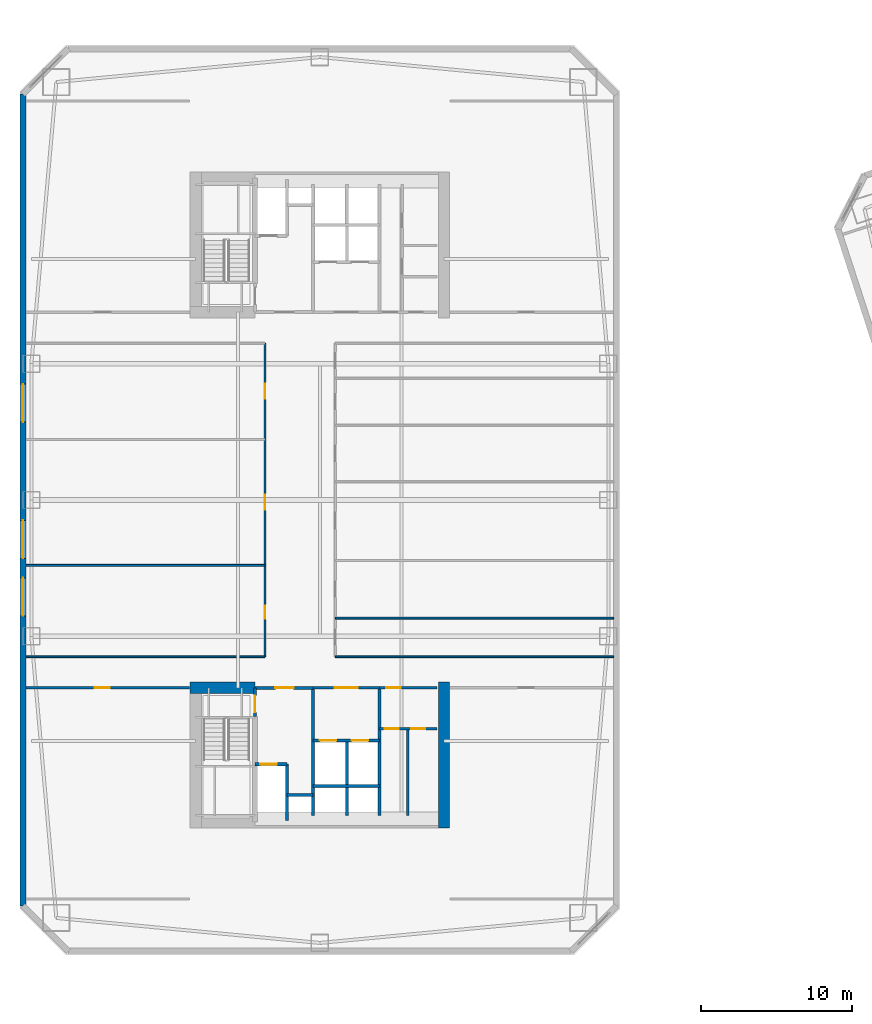
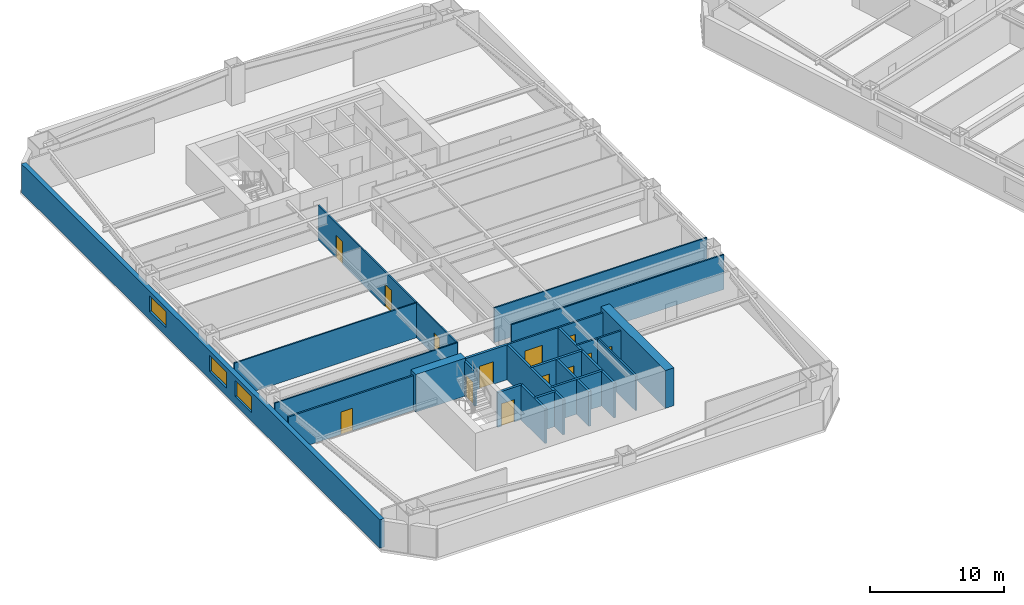
# One storey, part 10 of 19: 23 walls, 13 doors, 3 windows, 16 openings.
"""IFC4 building model written with IfcOpenShell, lengths in metres."""

from ifc_helpers import new_model, si_unit, direction, frame, frame_2d, origin, place, context, subcontext, project, spatial, rectangle, extrude, material, layer, layer_set, type_object, element, fill, save


model = new_model("IFC4")

# Units and contexts
model_context = context("Model", 3, precision=1e-05, world=origin(), true_north=direction((0.0, 1.0)))
body_context = subcontext(model_context, "Body", "Model", "MODEL_VIEW")
ifc_project = project(units=[si_unit("LENGTHUNIT", "METRE"), si_unit("AREAUNIT", "SQUARE_METRE"), si_unit("VOLUMEUNIT", "CUBIC_METRE"), si_unit("PLANEANGLEUNIT", "RADIAN"), si_unit("MASSUNIT", "GRAM", prefix="KILO")], contexts=[model_context])

# Site, building, storey
site_placement = place(None, origin())
site = spatial("IfcSite", under=ifc_project, at=site_placement, CompositionType="ELEMENT")
building_placement = place(site_placement, origin())
building = spatial("IfcBuilding", under=site, at=building_placement, Name="Qiaolan Cultural Towers", CompositionType="ELEMENT")
storey_placement = place(building_placement, frame((0.0, 0.0, 54.050048828125)))
storey = spatial("IfcBuildingStorey", under=building, at=storey_placement, Name="L12", CompositionType="ELEMENT", Elevation=54.050048828125)

# Walls
ifc_material_1 = material(Name="Concrete C60", Category="concrete")
ifc_layer_1 = layer(ifc_material_1, 0.75)
ifc_layer_set_1 = layer_set([ifc_layer_1], Name="Concrete C60")
wall_type_1 = type_object("IfcWallType", Name="WL-CORE-750", PredefinedType="SHEAR", material=ifc_layer_set_1)
wall_1_placement = place(storey_placement, frame((38.199951171875, 21.97509765625, 0.0), z_axis=(0.0, 0.0, 1.0), x_axis=(0.0, -1.0, 0.0)))
element("IfcWall", 1, at=wall_1_placement, inside=storey, type_object=wall_type_1, Name="L12 T1-CS East Core Shear Wall", PredefinedType="SHEAR", context=body_context, shape_type="SweptSolid", body=[
    extrude(rectangle(XDim=9.630126953125, YDim=0.75, at=frame_2d((4.81494140625, 0.0))), origin(), (0.0, 0.0, 1.0), 3.449951171875),
])
wall_2_placement = place(storey_placement, frame((21.425048828125, 21.60009765625, 0.0), z_axis=(0.0, 0.0, 1.0), x_axis=(1.0, 0.0, 0.0)))
element("IfcWall", 2, at=wall_2_placement, inside=storey, type_object=wall_type_1, Name="L12 T1-CS Stair Front Shear Wall", PredefinedType="SHEAR", context=body_context, shape_type="SweptSolid", body=[
    extrude(rectangle(XDim=4.294921875, YDim=0.75, at=frame_2d((2.1474609375, 0.0))), origin(), (0.0, 0.0, 1.0), 3.449951171875),
])

# Wall, openings, windows
ifc_material_2 = material(Name="Precast Concrete C50 Honed Stone Pier", Category="masonry")
ifc_layer_2 = layer(ifc_material_2, 0.39990234375)
ifc_layer_set_2 = layer_set([ifc_layer_2], Name="Precast Concrete C50 Honed Stone Pier")
wall_type_2 = type_object("IfcWallType", Name="WL-EXT-PIER-400", PredefinedType="SOLIDWALL", material=ifc_layer_set_2)
wall_3_placement = place(storey_placement, frame((10.39990234375, 7.199951171875, 0.0), z_axis=(0.0, 0.0, 1.0), x_axis=(0.0, 1.0, 0.0)))
wall_3 = element("IfcWall", 3, at=wall_3_placement, inside=storey, type_object=wall_type_2, Name="L12 West Tower Precast Pier Facade Wall F1", PredefinedType="SOLIDWALL", context=body_context, shape_type="SweptSolid", body=[
    extrude(rectangle(XDim=53.60009765625, YDim=0.39990234375, at=frame_2d((26.800048828125, 0.0))), origin(), (0.0, 0.0, 1.0), 2.60986328125),
])
opening_1_placement = place(wall_3_placement, frame((19.14990234375, 0.0, 0.75)))
opening_1 = element("IfcOpeningElement", 4, at=opening_1_placement, cuts=wall_3, Name="Opening W-01", PredefinedType="OPENING", context=body_context, shape_type="SweptSolid", body=[
    extrude(rectangle(XDim=2.5, YDim=1.4599609375, at=frame_2d((1.25, 0.72998046875))), frame((0.0, 0.2099609375, 0.0), z_axis=(0.0, -1.0, 0.0), x_axis=(1.0, 0.0, 0.0)), (0.0, 0.0, 1.0), 0.419921875),
])
opening_2_placement = place(wall_3_placement, frame((22.949951171875, 0.0, 0.75)))
opening_2 = element("IfcOpeningElement", 5, at=opening_2_placement, cuts=wall_3, Name="Opening W-01", PredefinedType="OPENING", context=body_context, shape_type="SweptSolid", body=[
    extrude(rectangle(XDim=2.5, YDim=1.4599609375, at=frame_2d((1.25, 0.72998046875))), frame((0.0, 0.2099609375, 0.0), z_axis=(0.0, -1.0, 0.0), x_axis=(1.0, 0.0, 0.0)), (0.0, 0.0, 1.0), 0.419921875),
])
opening_3_placement = place(wall_3_placement, frame((31.949951171875, 0.0, 0.75)))
opening_3 = element("IfcOpeningElement", 6, at=opening_3_placement, cuts=wall_3, Name="Opening W-01", PredefinedType="OPENING", context=body_context, shape_type="SweptSolid", body=[
    extrude(rectangle(XDim=2.5, YDim=1.4599609375, at=frame_2d((1.25, 0.72998046875))), frame((0.0, 0.2099609375, 0.0), z_axis=(0.0, -1.0, 0.0), x_axis=(1.0, 0.0, 0.0)), (0.0, 0.0, 1.0), 0.419921875),
])
ifc_material_3 = material(Name="Thermally Broken Aluminium Triple Low-E Glazing", Category="aluminium")
window_type = type_object("IfcWindowType", Name="WN-CHIC-2500", PartitioningType="SINGLE_PANEL", PredefinedType="WINDOW", material=ifc_material_3)
window_1_placement = place(opening_1_placement, origin())
window_1 = element("IfcWindow", 7, at=window_1_placement, inside=storey, type_object=window_type, Name="L12 T1 W Chicago Bay Window 1", OverallHeight=1.4599609375, OverallWidth=2.5, PartitioningType="TRIPLE_PANEL_VERTICAL", PredefinedType="WINDOW", context=body_context, shape_type="SweptSolid", body=[
    extrude(rectangle(XDim=2.5, YDim=1.4599609375, at=frame_2d((1.25, 0.72998046875))), frame((0.0, 0.030029296875, 0.0), z_axis=(0.0, -1.0, 0.0), x_axis=(1.0, 0.0, 0.0)), (0.0, 0.0, 1.0), 0.06005859375),
])
fill(opening_1, window_1)
window_2_placement = place(opening_2_placement, origin())
window_2 = element("IfcWindow", 8, at=window_2_placement, inside=storey, type_object=window_type, Name="L12 T1 W Chicago Bay Window 2", OverallHeight=1.4599609375, OverallWidth=2.5, PartitioningType="TRIPLE_PANEL_VERTICAL", PredefinedType="WINDOW", context=body_context, shape_type="SweptSolid", body=[
    extrude(rectangle(XDim=2.5, YDim=1.4599609375, at=frame_2d((1.25, 0.72998046875))), frame((0.0, 0.030029296875, 0.0), z_axis=(0.0, -1.0, 0.0), x_axis=(1.0, 0.0, 0.0)), (0.0, 0.0, 1.0), 0.06005859375),
])
fill(opening_2, window_2)
window_3_placement = place(opening_3_placement, origin())
window_3 = element("IfcWindow", 9, at=window_3_placement, inside=storey, type_object=window_type, Name="L12 T1 W Chicago Bay Window 3", OverallHeight=1.4599609375, OverallWidth=2.5, PartitioningType="TRIPLE_PANEL_VERTICAL", PredefinedType="WINDOW", context=body_context, shape_type="SweptSolid", body=[
    extrude(rectangle(XDim=2.5, YDim=1.4599609375, at=frame_2d((1.25, 0.72998046875))), frame((0.0, 0.030029296875, 0.0), z_axis=(0.0, -1.0, 0.0), x_axis=(1.0, 0.0, 0.0)), (0.0, 0.0, 1.0), 0.06005859375),
])
fill(opening_3, window_3)

# Wall, opening, door
ifc_material_4 = material(Name="Concrete C35 Fire Wall", Category="concrete")
ifc_layer_3 = layer(ifc_material_4, 0.199951171875)
ifc_layer_set_3 = layer_set([ifc_layer_3], Name="Concrete C35 Fire Wall")
wall_type_3 = type_object("IfcWallType", Name="WL-FIRE-200", PredefinedType="PARTITIONING", material=ifc_layer_set_3)
wall_4_placement = place(storey_placement, frame((25.719970703125, 21.60009765625, 0.0), z_axis=(0.0, 0.0, 1.0), x_axis=(0.0, -1.0, 0.0)))
wall_4 = element("IfcWall", 10, at=wall_4_placement, inside=storey, type_object=wall_type_3, Name="L12 T1-CS Smokeproof Stair Entry Wall", PredefinedType="PARTITIONING", context=body_context, shape_type="SweptSolid", body=[
    extrude(rectangle(XDim=1.900146484375, YDim=0.199951171875, at=frame_2d((0.9501953125, 0.0))), origin(), (0.0, 0.0, 1.0), 3.175048828125),
])
opening_4_placement = place(wall_4_placement, frame((0.52001953125, 0.0, 0.0)))
opening_4 = element("IfcOpeningElement", 11, at=opening_4_placement, cuts=wall_4, Name="Opening FD-04", PredefinedType="OPENING", context=body_context, shape_type="SweptSolid", body=[
    extrude(rectangle(XDim=1.10009765625, YDim=2.050048828125, at=frame_2d((0.550048828125, 1.02490234375))), frame((0.0, 0.10986328125, 0.0), z_axis=(0.0, -1.0, 0.0), x_axis=(1.0, 0.0, 0.0)), (0.0, 0.0, 1.0), 0.219970703125),
])
ifc_material_5 = material(Name="Galvanized Steel Command Fire Door", Category="steel")
door_type_1 = type_object("IfcDoorType", Name="DR-FD90-1100", OperationType="NOTDEFINED", PredefinedType="DOOR", material=ifc_material_5)
door_1_placement = place(opening_4_placement, origin())
door_1 = element("IfcDoor", 12, at=door_1_placement, inside=storey, type_object=door_type_1, Name="L12 ST-W1 Smokeproof Stair Fire Door", OperationType="SINGLE_SWING_LEFT", OverallHeight=2.050048828125, OverallWidth=1.10009765625, PredefinedType="DOOR", context=body_context, shape_type="SweptSolid", body=[
    extrude(rectangle(XDim=1.10009765625, YDim=2.050048828125, at=frame_2d((0.550048828125, 1.02490234375))), frame((0.0, 0.02490234375, 0.0), z_axis=(0.0, -1.0, 0.0), x_axis=(1.0, 0.0, 0.0)), (0.0, 0.0, 1.0), 0.050048828125),
])
fill(opening_4, door_1)

# Wall
wall_5_placement = place(storey_placement, frame((29.550048828125, 21.60009765625, 0.0), z_axis=(0.0, 0.0, 1.0), x_axis=(0.0, -1.0, 0.0)))
element("IfcWall", 13, at=wall_5_placement, inside=storey, type_object=wall_type_3, Name="L12 T1-CS Firefighting Zone Wall", PredefinedType="PARTITIONING", context=body_context, shape_type="SweptSolid", body=[
    extrude(rectangle(XDim=8.43017578125, YDim=0.199951171875, at=frame_2d((4.215087890625, 0.0))), origin(), (0.0, 0.0, 1.0), 3.175048828125),
])

# Wall, opening, door
wall_6_placement = place(storey_placement, frame((25.719970703125, 21.60009765625, 0.0), z_axis=(0.0, 0.0, 1.0), x_axis=(1.0, 0.0, 0.0)))
wall_6 = element("IfcWall", 14, at=wall_6_placement, inside=storey, type_object=wall_type_3, Name="L12 T1-CS Firefighting Lobby Front Wall", PredefinedType="PARTITIONING", context=body_context, shape_type="SweptSolid", body=[
    extrude(rectangle(XDim=3.830078125, YDim=0.199951171875, at=frame_2d((1.9150390625, 0.0))), origin(), (0.0, 0.0, 1.0), 3.175048828125),
])
opening_5_placement = place(wall_6_placement, frame((1.35009765625, 0.0, 0.0)))
opening_5 = element("IfcOpeningElement", 15, at=opening_5_placement, cuts=wall_6, Name="Opening FD-03", PredefinedType="OPENING", context=body_context, shape_type="SweptSolid", body=[
    extrude(rectangle(XDim=1.199951171875, YDim=2.050048828125, at=frame_2d((0.60009765625, 1.02490234375))), frame((0.0, 0.10986328125, 0.0), z_axis=(0.0, -1.0, 0.0), x_axis=(1.0, 0.0, 0.0)), (0.0, 0.0, 1.0), 0.219970703125),
])
ifc_material_6 = material(Name="Galvanized Steel Smokeproof Lobby Fire Door", Category="steel")
door_type_2 = type_object("IfcDoorType", Name="DR-FD90-1200", OperationType="NOTDEFINED", PredefinedType="DOOR", material=ifc_material_6)
door_2_placement = place(opening_5_placement, origin())
door_2 = element("IfcDoor", 16, at=door_2_placement, inside=storey, type_object=door_type_2, Name="L12 FFL-W1 Firefighting Lobby Fire Door", OperationType="SINGLE_SWING_LEFT", OverallHeight=2.050048828125, OverallWidth=1.199951171875, PredefinedType="DOOR", context=body_context, shape_type="SweptSolid", body=[
    extrude(rectangle(XDim=1.199951171875, YDim=2.050048828125, at=frame_2d((0.60009765625, 1.02490234375))), frame((0.0, 0.02490234375, 0.0), z_axis=(0.0, -1.0, 0.0), x_axis=(1.0, 0.0, 0.0)), (0.0, 0.0, 1.0), 0.050048828125),
])
fill(opening_5, door_2)

wall_7_placement = place(storey_placement, frame((25.719970703125, 16.550048828125, 0.0), z_axis=(0.0, 0.0, 1.0), x_axis=(1.0, 0.0, 0.0)))
wall_7 = element("IfcWall", 17, at=wall_7_placement, inside=storey, type_object=wall_type_3, Name="L12 T1-CS Firefighting Shaft Front Wall", PredefinedType="PARTITIONING", context=body_context, shape_type="SweptSolid", body=[
    extrude(rectangle(XDim=2.10009765625, YDim=0.199951171875, at=frame_2d((1.050048828125, 0.0))), origin(), (0.0, 0.0, 1.0), 3.175048828125),
])
opening_6_placement = place(wall_7_placement, frame((0.35009765625, 0.0, 0.0)))
opening_6 = element("IfcOpeningElement", 18, at=opening_6_placement, cuts=wall_7, Name="Opening LD-01", PredefinedType="OPENING", context=body_context, shape_type="SweptSolid", body=[
    extrude(rectangle(XDim=1.10009765625, YDim=2.050048828125, at=frame_2d((0.550048828125, 1.02490234375))), frame((0.0, 0.10986328125, 0.0), z_axis=(0.0, -1.0, 0.0), x_axis=(1.0, 0.0, 0.0)), (0.0, 0.0, 1.0), 0.219970703125),
])
ifc_material_7 = material(Name="Brushed Stainless Steel S30408 Centre-Parting Lift Landing Door", Category="steel")
door_type_3 = type_object("IfcDoorType", Name="DR-LIFT-1100", OperationType="NOTDEFINED", PredefinedType="DOOR", material=ifc_material_7)
door_3_placement = place(opening_6_placement, origin())
door_3 = element("IfcDoor", 19, at=door_3_placement, inside=storey, type_object=door_type_3, Name="L12 FFL-W1 Firefighting Lift Landing Door", OperationType="DOUBLE_DOOR_SLIDING", OverallHeight=2.050048828125, OverallWidth=1.10009765625, PredefinedType="DOOR", context=body_context, shape_type="SweptSolid", body=[
    extrude(rectangle(XDim=1.10009765625, YDim=2.050048828125, at=frame_2d((0.550048828125, 1.02490234375))), frame((0.0, 0.02490234375, 0.0), z_axis=(0.0, -1.0, 0.0), x_axis=(1.0, 0.0, 0.0)), (0.0, 0.0, 1.0), 0.050048828125),
])
fill(opening_6, door_3)

# Walls
wall_8_placement = place(storey_placement, frame((27.820068359375, 16.550048828125, 0.0), z_axis=(0.0, 0.0, 1.0), x_axis=(0.0, -1.0, 0.0)))
element("IfcWall", 20, at=wall_8_placement, inside=storey, type_object=wall_type_3, Name="L12 T1-CS Firefighting Hoistway East Wall", PredefinedType="PARTITIONING", context=body_context, shape_type="SweptSolid", body=[
    extrude(rectangle(XDim=3.699951171875, YDim=0.199951171875, at=frame_2d((1.85009765625, 0.0))), origin(), (0.0, 0.0, 1.0), 3.175048828125),
])
wall_9_placement = place(storey_placement, frame((27.820068359375, 14.52001953125, 0.0), z_axis=(0.0, 0.0, 1.0), x_axis=(1.0, 0.0, 0.0)))
element("IfcWall", 21, at=wall_9_placement, inside=storey, type_object=wall_type_3, Name="L12 T1-CS Pressurization Shaft Front Wall", PredefinedType="PARTITIONING", context=body_context, shape_type="SweptSolid", body=[
    extrude(rectangle(XDim=1.72998046875, YDim=0.199951171875, at=frame_2d((0.864990234375, 0.0))), origin(), (0.0, 0.0, 1.0), 3.175048828125),
])
wall_10_placement = place(storey_placement, frame((33.949951171875, 21.60009765625, 0.0), z_axis=(0.0, 0.0, 1.0), x_axis=(0.0, -1.0, 0.0)))
element("IfcWall", 22, at=wall_10_placement, inside=storey, type_object=wall_type_3, Name="L12 T1-CS Lift Core East Wall", PredefinedType="PARTITIONING", context=body_context, shape_type="SweptSolid", body=[
    extrude(rectangle(XDim=8.43017578125, YDim=0.199951171875, at=frame_2d((4.215087890625, 0.0))), origin(), (0.0, 0.0, 1.0), 3.175048828125),
])

# Wall, openings, doors
wall_11_placement = place(storey_placement, frame((29.550048828125, 18.1201171875, 0.0), z_axis=(0.0, 0.0, 1.0), x_axis=(1.0, 0.0, 0.0)))
wall_11 = element("IfcWall", 23, at=wall_11_placement, inside=storey, type_object=wall_type_3, Name="L12 T1-CS Passenger Lift Shaft Front Wall", PredefinedType="PARTITIONING", context=body_context, shape_type="SweptSolid", body=[
    extrude(rectangle(XDim=4.39990234375, YDim=0.199951171875, at=frame_2d((2.199951171875, 0.0))), origin(), (0.0, 0.0, 1.0), 3.175048828125),
])
opening_7_placement = place(wall_11_placement, frame((0.449951171875, 0.0, 0.0)))
opening_7 = element("IfcOpeningElement", 24, at=opening_7_placement, cuts=wall_11, Name="Opening LD-01", PredefinedType="OPENING", context=body_context, shape_type="SweptSolid", body=[
    extrude(rectangle(XDim=1.10009765625, YDim=2.050048828125, at=frame_2d((0.550048828125, 1.02490234375))), frame((0.0, 0.10986328125, 0.0), z_axis=(0.0, -1.0, 0.0), x_axis=(1.0, 0.0, 0.0)), (0.0, 0.0, 1.0), 0.219970703125),
])
opening_8_placement = place(wall_11_placement, frame((2.550048828125, 0.0, 0.0)))
opening_8 = element("IfcOpeningElement", 25, at=opening_8_placement, cuts=wall_11, Name="Opening LD-01", PredefinedType="OPENING", context=body_context, shape_type="SweptSolid", body=[
    extrude(rectangle(XDim=1.10009765625, YDim=2.050048828125, at=frame_2d((0.550048828125, 1.02490234375))), frame((0.0, 0.10986328125, 0.0), z_axis=(0.0, -1.0, 0.0), x_axis=(1.0, 0.0, 0.0)), (0.0, 0.0, 1.0), 0.219970703125),
])
door_4_placement = place(opening_7_placement, origin())
door_4 = element("IfcDoor", 26, at=door_4_placement, inside=storey, type_object=door_type_3, Name="L12 Passenger Lift 1 Landing Door", OperationType="DOUBLE_DOOR_SLIDING", OverallHeight=2.050048828125, OverallWidth=1.10009765625, PredefinedType="DOOR", context=body_context, shape_type="SweptSolid", body=[
    extrude(rectangle(XDim=1.10009765625, YDim=2.050048828125, at=frame_2d((0.550048828125, 1.02490234375))), frame((0.0, 0.02490234375, 0.0), z_axis=(0.0, -1.0, 0.0), x_axis=(1.0, 0.0, 0.0)), (0.0, 0.0, 1.0), 0.050048828125),
])
fill(opening_7, door_4)
door_5_placement = place(opening_8_placement, origin())
door_5 = element("IfcDoor", 27, at=door_5_placement, inside=storey, type_object=door_type_3, Name="L12 Passenger Lift 2 Landing Door", OperationType="DOUBLE_DOOR_SLIDING", OverallHeight=2.050048828125, OverallWidth=1.10009765625, PredefinedType="DOOR", context=body_context, shape_type="SweptSolid", body=[
    extrude(rectangle(XDim=1.10009765625, YDim=2.050048828125, at=frame_2d((0.550048828125, 1.02490234375))), frame((0.0, 0.02490234375, 0.0), z_axis=(0.0, -1.0, 0.0), x_axis=(1.0, 0.0, 0.0)), (0.0, 0.0, 1.0), 0.050048828125),
])
fill(opening_8, door_5)

# Walls
wall_12_placement = place(storey_placement, frame((31.780029296875, 18.1201171875, 0.0), z_axis=(0.0, 0.0, 1.0), x_axis=(0.0, -1.0, 0.0)))
element("IfcWall", 28, at=wall_12_placement, inside=storey, type_object=wall_type_3, Name="L12 T1-CS Lift Shaft Divider Wall", PredefinedType="PARTITIONING", context=body_context, shape_type="SweptSolid", body=[
    extrude(rectangle(XDim=4.9501953125, YDim=0.199951171875, at=frame_2d((2.47509765625, 0.0))), origin(), (0.0, 0.0, 1.0), 3.175048828125),
])
wall_13_placement = place(storey_placement, frame((29.550048828125, 15.10009765625, 0.0), z_axis=(0.0, 0.0, 1.0), x_axis=(1.0, 0.0, 0.0)))
element("IfcWall", 29, at=wall_13_placement, inside=storey, type_object=wall_type_3, Name="L12 T1-CS Passenger Lift Shaft Back Wall", PredefinedType="PARTITIONING", context=body_context, shape_type="SweptSolid", body=[
    extrude(rectangle(XDim=4.39990234375, YDim=0.199951171875, at=frame_2d((2.199951171875, 0.0))), origin(), (0.0, 0.0, 1.0), 3.175048828125),
])
ifc_material_8 = material(Name="Gypsum Stud Acoustic Partition", Category="gypsum")
ifc_layer_4 = layer(ifc_material_8, 0.1201171875)
ifc_layer_set_4 = layer_set([ifc_layer_4], Name="Gypsum Stud Acoustic Partition")
wall_type_4 = type_object("IfcWallType", Name="WL-PART-120", PredefinedType="PARTITIONING", material=ifc_layer_set_4)
wall_14_placement = place(storey_placement, frame((10.60009765625, 23.64990234375, 0.0), z_axis=(0.0, 0.0, 1.0), x_axis=(1.0, 0.0, 0.0)))
element("IfcWall", 30, at=wall_14_placement, inside=storey, type_object=wall_type_4, Name="L12 T1 South Corridor Left Wall", PredefinedType="PARTITIONING", context=body_context, shape_type="SweptSolid", body=[
    extrude(rectangle(XDim=15.77490234375, YDim=0.1201171875, at=frame_2d((7.887451171875, 0.0))), origin(), (0.0, 0.0, 1.0), 3.175048828125),
])
wall_15_placement = place(storey_placement, frame((31.02490234375, 23.64990234375, 0.0), z_axis=(0.0, 0.0, 1.0), x_axis=(1.0, 0.0, 0.0)))
element("IfcWall", 31, at=wall_15_placement, inside=storey, type_object=wall_type_4, Name="L12 T1 South Corridor Right Wall", PredefinedType="PARTITIONING", context=body_context, shape_type="SweptSolid", body=[
    extrude(rectangle(XDim=18.375, YDim=0.1201171875, at=frame_2d((9.1875, 0.0))), origin(), (0.0, 0.0, 1.0), 3.175048828125),
])

# Wall, openings, doors
wall_16_placement = place(storey_placement, frame((26.375, 23.64990234375, 0.0), z_axis=(0.0, 0.0, 1.0), x_axis=(0.0, 1.0, 0.0)))
wall_16 = element("IfcWall", 32, at=wall_16_placement, inside=storey, type_object=wall_type_4, Name="L12 T1 West Spine Wall", PredefinedType="PARTITIONING", context=body_context, shape_type="SweptSolid", body=[
    extrude(rectangle(XDim=20.7001953125, YDim=0.1201171875, at=frame_2d((10.35009765625, 0.0))), origin(), (0.0, 0.0, 1.0), 3.175048828125),
])
opening_9_placement = place(wall_16_placement, frame((2.517578125, 0.0, 0.0)))
opening_9 = element("IfcOpeningElement", 33, at=opening_9_placement, cuts=wall_16, Name="Opening ID-09", PredefinedType="OPENING", context=body_context, shape_type="SweptSolid", body=[
    extrude(rectangle(XDim=0.85009765625, YDim=2.050048828125, at=frame_2d((0.425048828125, 1.02490234375))), frame((0.0, 0.070068359375, 0.0), z_axis=(0.0, -1.0, 0.0), x_axis=(1.0, 0.0, 0.0)), (0.0, 0.0, 1.0), 0.14013671875),
])
opening_10_placement = place(wall_16_placement, frame((9.6923828125, 0.0, 0.0)))
opening_10 = element("IfcOpeningElement", 34, at=opening_10_placement, cuts=wall_16, Name="Opening ID-04", PredefinedType="OPENING", context=body_context, shape_type="SweptSolid", body=[
    extrude(rectangle(XDim=1.0, YDim=2.050048828125, at=frame_2d((0.5, 1.02490234375))), frame((0.0, 0.070068359375, 0.0), z_axis=(0.0, -1.0, 0.0), x_axis=(1.0, 0.0, 0.0)), (0.0, 0.0, 1.0), 0.14013671875),
])
opening_11_placement = place(wall_16_placement, frame((17.02490234375, 0.0, 0.0)))
opening_11 = element("IfcOpeningElement", 35, at=opening_11_placement, cuts=wall_16, Name="Opening ID-04", PredefinedType="OPENING", context=body_context, shape_type="SweptSolid", body=[
    extrude(rectangle(XDim=1.0, YDim=2.050048828125, at=frame_2d((0.5, 1.02490234375))), frame((0.0, 0.070068359375, 0.0), z_axis=(0.0, -1.0, 0.0), x_axis=(1.0, 0.0, 0.0)), (0.0, 0.0, 1.0), 0.14013671875),
])
ifc_material_9 = material(Name="Oak Veneer Acoustic Office Door", Category="timber")
door_type_4 = type_object("IfcDoorType", Name="DR-INT-1000", OperationType="NOTDEFINED", PredefinedType="DOOR", material=ifc_material_9)
door_6_placement = place(opening_10_placement, origin())
door_6 = element("IfcDoor", 36, at=door_6_placement, inside=storey, type_object=door_type_4, Name="L12 T1 Contemporary Art Salon Door", OperationType="SINGLE_SWING_RIGHT", OverallHeight=2.050048828125, OverallWidth=1.0, PredefinedType="DOOR", context=body_context, shape_type="SweptSolid", body=[
    extrude(rectangle(XDim=1.0, YDim=2.050048828125, at=frame_2d((0.5, 1.02490234375))), frame((0.0, 0.02490234375, 0.0), z_axis=(0.0, -1.0, 0.0), x_axis=(1.0, 0.0, 0.0)), (0.0, 0.0, 1.0), 0.050048828125),
])
fill(opening_10, door_6)
door_7_placement = place(opening_11_placement, origin())
door_7 = element("IfcDoor", 37, at=door_7_placement, inside=storey, type_object=door_type_4, Name="L12 T1 Members Reading Club Door", OperationType="SINGLE_SWING_LEFT", OverallHeight=2.050048828125, OverallWidth=1.0, PredefinedType="DOOR", context=body_context, shape_type="SweptSolid", body=[
    extrude(rectangle(XDim=1.0, YDim=2.050048828125, at=frame_2d((0.5, 1.02490234375))), frame((0.0, 0.02490234375, 0.0), z_axis=(0.0, -1.0, 0.0), x_axis=(1.0, 0.0, 0.0)), (0.0, 0.0, 1.0), 0.050048828125),
])
fill(opening_11, door_7)
ifc_material_10 = material(Name="Moisture-Resistant Laminate Utility Door", Category="timber")
door_type_5 = type_object("IfcDoorType", Name="DR-INT-850", OperationType="NOTDEFINED", PredefinedType="DOOR", material=ifc_material_10)
door_8_placement = place(opening_9_placement, origin())
door_8 = element("IfcDoor", 38, at=door_8_placement, inside=storey, type_object=door_type_5, Name="L12 T1 Contemporary Art Salon Door", OperationType="SINGLE_SWING_LEFT", OverallHeight=2.050048828125, OverallWidth=0.85009765625, PredefinedType="DOOR", context=body_context, shape_type="SweptSolid", body=[
    extrude(rectangle(XDim=0.85009765625, YDim=2.050048828125, at=frame_2d((0.425048828125, 1.02490234375))), frame((0.0, 0.02490234375, 0.0), z_axis=(0.0, -1.0, 0.0), x_axis=(1.0, 0.0, 0.0)), (0.0, 0.0, 1.0), 0.050048828125),
])
fill(opening_9, door_8)

# Walls
wall_17_placement = place(storey_placement, frame((10.60009765625, 29.68505859375, 0.0), z_axis=(0.0, 0.0, 1.0), x_axis=(1.0, 0.0, 0.0)))
element("IfcWall", 39, at=wall_17_placement, inside=storey, type_object=wall_type_4, Name="L12 T1 West Partition 1", PredefinedType="PARTITIONING", context=body_context, shape_type="SweptSolid", body=[
    extrude(rectangle(XDim=15.77490234375, YDim=0.1201171875, at=frame_2d((7.887451171875, 0.0))), origin(), (0.0, 0.0, 1.0), 3.175048828125),
])
wall_18_placement = place(storey_placement, frame((31.02490234375, 26.199951171875, 0.0), z_axis=(0.0, 0.0, 1.0), x_axis=(1.0, 0.0, 0.0)))
element("IfcWall", 40, at=wall_18_placement, inside=storey, type_object=wall_type_4, Name="L12 T1 East Partition 1", PredefinedType="PARTITIONING", context=body_context, shape_type="SweptSolid", body=[
    extrude(rectangle(XDim=18.375, YDim=0.1201171875, at=frame_2d((9.1875, 0.0))), origin(), (0.0, 0.0, 1.0), 3.175048828125),
])

# Wall, opening, door
ifc_material_11 = material(Name="Autoclaved Aerated Concrete Block B06", Category="concrete")
ifc_layer_5 = layer(ifc_material_11, 0.14990234375)
ifc_layer_set_5 = layer_set([ifc_layer_5], Name="Autoclaved Aerated Concrete Block B06")
wall_type_5 = type_object("IfcWallType", Name="WL-PART-150", PredefinedType="PARTITIONING", material=ifc_layer_set_5)
wall_19_placement = place(storey_placement, frame((29.550048828125, 21.60009765625, 0.0), z_axis=(0.0, 0.0, 1.0), x_axis=(1.0, 0.0, 0.0)))
wall_19 = element("IfcWall", 41, at=wall_19_placement, inside=storey, type_object=wall_type_5, Name="L12 T1-CS Passenger Lift Lobby Front Wall", PredefinedType="PARTITIONING", context=body_context, shape_type="SweptSolid", body=[
    extrude(rectangle(XDim=4.39990234375, YDim=0.14990234375, at=frame_2d((2.199951171875, 0.0))), origin(), (0.0, 0.0, 1.0), 3.175048828125),
])
opening_12_placement = place(wall_19_placement, frame((1.449951171875, 0.0, 0.0)))
opening_12 = element("IfcOpeningElement", 42, at=opening_12_placement, cuts=wall_19, Name="Opening FD-05", PredefinedType="OPENING", context=body_context, shape_type="SweptSolid", body=[
    extrude(rectangle(XDim=1.5, YDim=2.050048828125, at=frame_2d((0.75, 1.02490234375))), frame((0.0, 0.0849609375, 0.0), z_axis=(0.0, -1.0, 0.0), x_axis=(1.0, 0.0, 0.0)), (0.0, 0.0, 1.0), 0.169921875),
])
ifc_material_12 = material(Name="Painted Steel Lift Lobby Fire Door", Category="steel")
door_type_6 = type_object("IfcDoorType", Name="DR-FD60-1500", OperationType="NOTDEFINED", PredefinedType="DOOR", material=ifc_material_12)
door_9_placement = place(opening_12_placement, origin())
door_9 = element("IfcDoor", 43, at=door_9_placement, inside=storey, type_object=door_type_6, Name="L12 Passenger Lift Lobby Entrance", OperationType="SINGLE_SWING_LEFT", OverallHeight=2.050048828125, OverallWidth=1.5, PredefinedType="DOOR", context=body_context, shape_type="SweptSolid", body=[
    extrude(rectangle(XDim=1.5, YDim=2.050048828125, at=frame_2d((0.75, 1.02490234375))), frame((0.0, 0.02490234375, 0.0), z_axis=(0.0, -1.0, 0.0), x_axis=(1.0, 0.0, 0.0)), (0.0, 0.0, 1.0), 0.050048828125),
])
fill(opening_12, door_9)

wall_20_placement = place(storey_placement, frame((33.949951171875, 21.60009765625, 0.0), z_axis=(0.0, 0.0, 1.0), x_axis=(1.0, 0.0, 0.0)))
wall_20 = element("IfcWall", 44, at=wall_20_placement, inside=storey, type_object=wall_type_5, Name="L12 T1-CS Sanitary Core Front Wall", PredefinedType="PARTITIONING", context=body_context, shape_type="SweptSolid", body=[
    extrude(rectangle(XDim=3.800048828125, YDim=0.14990234375, at=frame_2d((1.89990234375, 0.0))), origin(), (0.0, 0.0, 1.0), 3.175048828125),
])
opening_13_placement = place(wall_20_placement, frame((0.449951171875, 0.0, 0.0)))
opening_13 = element("IfcOpeningElement", 45, at=opening_13_placement, cuts=wall_20, Name="Opening ID-05", PredefinedType="OPENING", context=body_context, shape_type="SweptSolid", body=[
    extrude(rectangle(XDim=0.949951171875, YDim=2.050048828125, at=frame_2d((0.47509765625, 1.02490234375))), frame((0.0, 0.0849609375, 0.0), z_axis=(0.0, -1.0, 0.0), x_axis=(1.0, 0.0, 0.0)), (0.0, 0.0, 1.0), 0.169921875),
])
ifc_material_13 = material(Name="Fire-Rated Laminate Accessible Core Door", Category="timber")
door_type_7 = type_object("IfcDoorType", Name="DR-INT-950", OperationType="NOTDEFINED", PredefinedType="DOOR", material=ifc_material_13)
door_10_placement = place(opening_13_placement, origin())
door_10 = element("IfcDoor", 46, at=door_10_placement, inside=storey, type_object=door_type_7, Name="L12 Sanitary Vestibule Door", OperationType="SINGLE_SWING_LEFT", OverallHeight=2.050048828125, OverallWidth=0.949951171875, PredefinedType="DOOR", context=body_context, shape_type="SweptSolid", body=[
    extrude(rectangle(XDim=0.949951171875, YDim=2.050048828125, at=frame_2d((0.47509765625, 1.02490234375))), frame((0.0, 0.02490234375, 0.0), z_axis=(0.0, -1.0, 0.0), x_axis=(1.0, 0.0, 0.0)), (0.0, 0.0, 1.0), 0.050048828125),
])
fill(opening_13, door_10)

# Wall, openings, doors
wall_21_placement = place(storey_placement, frame((33.949951171875, 18.89990234375, 0.0), z_axis=(0.0, 0.0, 1.0), x_axis=(1.0, 0.0, 0.0)))
wall_21 = element("IfcWall", 47, at=wall_21_placement, inside=storey, type_object=wall_type_5, Name="L12 T1-CS Restroom Vestibule Wall", PredefinedType="PARTITIONING", context=body_context, shape_type="SweptSolid", body=[
    extrude(rectangle(XDim=3.800048828125, YDim=0.14990234375, at=frame_2d((1.89990234375, 0.0))), origin(), (0.0, 0.0, 1.0), 3.175048828125),
])
opening_14_placement = place(wall_21_placement, frame((0.35009765625, 0.0, 0.0)))
opening_14 = element("IfcOpeningElement", 48, at=opening_14_placement, cuts=wall_21, Name="Opening ID-06", PredefinedType="OPENING", context=body_context, shape_type="SweptSolid", body=[
    extrude(rectangle(XDim=0.89990234375, YDim=2.050048828125, at=frame_2d((0.449951171875, 1.02490234375))), frame((0.0, 0.0849609375, 0.0), z_axis=(0.0, -1.0, 0.0), x_axis=(1.0, 0.0, 0.0)), (0.0, 0.0, 1.0), 0.169921875),
])
opening_15_placement = place(wall_21_placement, frame((2.10009765625, 0.0, 0.0)))
opening_15 = element("IfcOpeningElement", 49, at=opening_15_placement, cuts=wall_21, Name="Opening ID-06", PredefinedType="OPENING", context=body_context, shape_type="SweptSolid", body=[
    extrude(rectangle(XDim=0.89990234375, YDim=2.050048828125, at=frame_2d((0.449951171875, 1.02490234375))), frame((0.0, 0.0849609375, 0.0), z_axis=(0.0, -1.0, 0.0), x_axis=(1.0, 0.0, 0.0)), (0.0, 0.0, 1.0), 0.169921875),
])
ifc_material_14 = material(Name="Fire-Rated Laminate Core Service Door", Category="timber")
door_type_8 = type_object("IfcDoorType", Name="DR-INT-900", OperationType="NOTDEFINED", PredefinedType="DOOR", material=ifc_material_14)
door_11_placement = place(opening_14_placement, origin())
door_11 = element("IfcDoor", 50, at=door_11_placement, inside=storey, type_object=door_type_8, Name="L12 Men Restroom Door", OperationType="SINGLE_SWING_LEFT", OverallHeight=2.050048828125, OverallWidth=0.89990234375, PredefinedType="DOOR", context=body_context, shape_type="SweptSolid", body=[
    extrude(rectangle(XDim=0.89990234375, YDim=2.050048828125, at=frame_2d((0.449951171875, 1.02490234375))), frame((0.0, 0.02490234375, 0.0), z_axis=(0.0, -1.0, 0.0), x_axis=(1.0, 0.0, 0.0)), (0.0, 0.0, 1.0), 0.050048828125),
])
fill(opening_14, door_11)
door_12_placement = place(opening_15_placement, origin())
door_12 = element("IfcDoor", 51, at=door_12_placement, inside=storey, type_object=door_type_8, Name="L12 Accessible & Women Restroom Door", OperationType="SINGLE_SWING_RIGHT", OverallHeight=2.050048828125, OverallWidth=0.89990234375, PredefinedType="DOOR", context=body_context, shape_type="SweptSolid", body=[
    extrude(rectangle(XDim=0.89990234375, YDim=2.050048828125, at=frame_2d((0.449951171875, 1.02490234375))), frame((0.0, 0.02490234375, 0.0), z_axis=(0.0, -1.0, 0.0), x_axis=(1.0, 0.0, 0.0)), (0.0, 0.0, 1.0), 0.050048828125),
])
fill(opening_15, door_12)

# Wall
wall_22_placement = place(storey_placement, frame((35.800048828125, 18.89990234375, 0.0), z_axis=(0.0, 0.0, 1.0), x_axis=(0.0, -1.0, 0.0)))
element("IfcWall", 52, at=wall_22_placement, inside=storey, type_object=wall_type_5, Name="L12 T1-CS Restroom Divider Wall", PredefinedType="PARTITIONING", context=body_context, shape_type="SweptSolid", body=[
    extrude(rectangle(XDim=5.72998046875, YDim=0.14990234375, at=frame_2d((2.864990234375, 0.0))), origin(), (0.0, 0.0, 1.0), 3.175048828125),
])

# Wall, opening, door
wall_23_placement = place(storey_placement, frame((10.60009765625, 21.60009765625, 0.0), z_axis=(0.0, 0.0, 1.0), x_axis=(1.0, 0.0, 0.0)))
wall_23 = element("IfcWall", 53, at=wall_23_placement, inside=storey, type_object=wall_type_5, Name="L12 T1 Flank Front FLK-SW", PredefinedType="PARTITIONING", context=body_context, shape_type="SweptSolid", body=[
    extrude(rectangle(XDim=10.7998046875, YDim=0.14990234375, at=frame_2d((5.39990234375, 0.0))), origin(), (0.0, 0.0, 1.0), 3.175048828125),
])
opening_16_placement = place(wall_23_placement, frame((4.535888671875, 0.0, 0.0)))
opening_16 = element("IfcOpeningElement", 54, at=opening_16_placement, cuts=wall_23, Name="Opening ID-04", PredefinedType="OPENING", context=body_context, shape_type="SweptSolid", body=[
    extrude(rectangle(XDim=1.0, YDim=2.050048828125, at=frame_2d((0.5, 1.02490234375))), frame((0.0, 0.0849609375, 0.0), z_axis=(0.0, -1.0, 0.0), x_axis=(1.0, 0.0, 0.0)), (0.0, 0.0, 1.0), 0.169921875),
])
door_13_placement = place(opening_16_placement, origin())
door_13 = element("IfcDoor", 55, at=door_13_placement, inside=storey, type_object=door_type_4, Name="L12 T1 Corner Studio Door", OperationType="SINGLE_SWING_LEFT", OverallHeight=2.050048828125, OverallWidth=1.0, PredefinedType="DOOR", context=body_context, shape_type="SweptSolid", body=[
    extrude(rectangle(XDim=1.0, YDim=2.050048828125, at=frame_2d((0.5, 1.02490234375))), frame((0.0, 0.02490234375, 0.0), z_axis=(0.0, -1.0, 0.0), x_axis=(1.0, 0.0, 0.0)), (0.0, 0.0, 1.0), 0.050048828125),
])
fill(opening_16, door_13)

save(model, "model.ifc")
